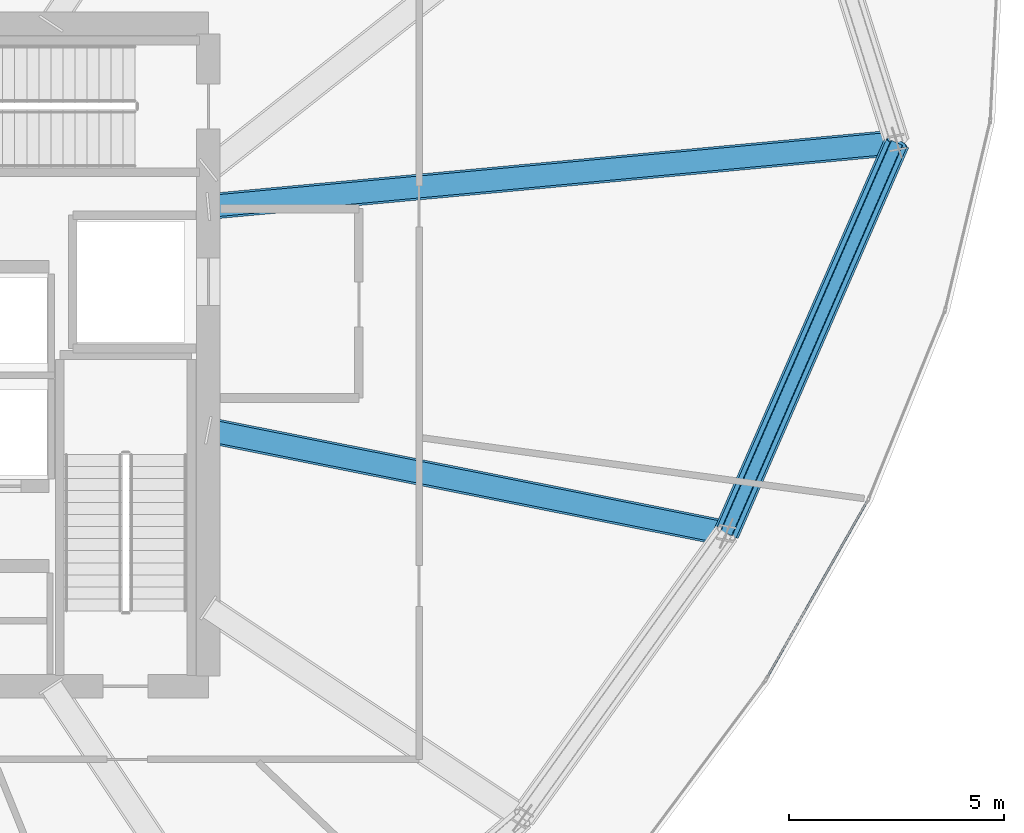
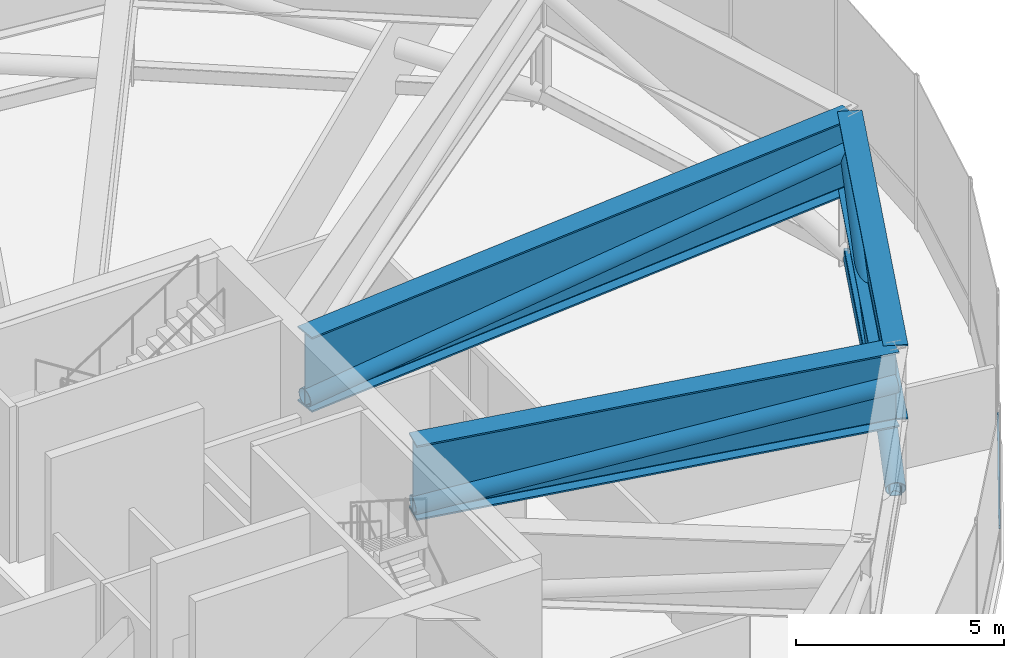
# One storey, part 16 of 30: 5 members, 3 beams, 1 element without a shape of its own.
"""IFC4 building model written with IfcOpenShell, lengths in metres."""

from ifc_helpers import new_model, si_unit, direction, frame, origin, origin_2d, place, context, subcontext, project, spatial, hollow_rectangle, hollow_circle, i_section, extrude, source, transform, mapped, material, layer, layer_set, material_profile, profile_set, type_object, element, aggregate, save


model = new_model("IFC4")

# Units and contexts
model_context = context("Model", 3, precision=1e-05, world=origin(), true_north=direction((0.0, 1.0)))
body_context = subcontext(model_context, "Body", "Model", "MODEL_VIEW")
ifc_project = project(units=[si_unit("LENGTHUNIT", "METRE"), si_unit("AREAUNIT", "SQUARE_METRE"), si_unit("VOLUMEUNIT", "CUBIC_METRE"), si_unit("PLANEANGLEUNIT", "RADIAN"), si_unit("MASSUNIT", "GRAM", prefix="KILO"), si_unit("THERMODYNAMICTEMPERATUREUNIT", "KELVIN")], contexts=[model_context])

# Site, building, storey
site_placement = place(None, origin())
site = spatial("IfcSite", under=ifc_project, at=site_placement, CompositionType="ELEMENT")
building_placement = place(site_placement, origin())
building = spatial("IfcBuilding", under=site, at=building_placement, Name="Kethvar Cultural Tower", CompositionType="ELEMENT")
storey_placement = place(building_placement, frame((0.0, 0.0, 171.39990234375)))
storey = spatial("IfcBuildingStorey", under=building, at=storey_placement, Name="L44", CompositionType="ELEMENT", Elevation=171.39990234375)

# Beam
ifc_material_1 = material(Name="Steel S460M", Category="steel")
ifc_material_profile_1 = material_profile(ifc_material_1, i_section(OverallWidth=0.60009765625, OverallDepth=2.199951171875, WebThickness=0.028076171875, FlangeThickness=0.044921875, FilletRadius=0.02197265625, at=origin_2d()), Name="Steel S460M — PG2200x600x45x28")
ifc_profile_set_1 = profile_set([ifc_material_profile_1], Name="Steel S460M — PG2200x600x45x28")
beam_type = type_object("IfcBeamType", Name="BM-TR2200", PredefinedType="BEAM", material=ifc_profile_set_1)
shared_shape_1 = source(origin(), body_context, "Body", "SweptSolid", [
    extrude(i_section(OverallWidth=0.60009765625, OverallDepth=2.199951171875, WebThickness=0.028076171875, FlangeThickness=0.044921875, FilletRadius=0.02197265625, at=origin_2d()), origin(), (0.0, 0.0, 1.0), 16.071044921875),
])
beam_1_placement = place(storey_placement, frame((55.60009765625, 31.25, 3.47802734375), z_axis=(0.995731009363, 0.092302529718, 0.0), x_axis=(-0.092302529718, 0.995731009363, 0.0)))
element("IfcBeam", 1, at=beam_1_placement, inside=storey, type_object=beam_type, Name="L44 Outrigger Transfer Girder OG-01", PredefinedType="BEAM", context=body_context, shape_type="MappedRepresentation", body=[
    mapped(shared_shape_1, transform((0.0, 0.0, 0.0), scale=1.0)),
])

# Member
ifc_material_profile_2 = material_profile(ifc_material_1, hollow_circle(Radius=0.25390625, WallThickness=0.02001953125, at=origin_2d()), Name="Steel S460M — CHS508x20")
ifc_profile_set_2 = profile_set([ifc_material_profile_2], Name="Steel S460M — CHS508x20")
member_type_1 = type_object("IfcMemberType", Name="MB-OUT-508", PredefinedType="BRACE", material=ifc_profile_set_2)
shared_shape_2 = source(origin(), body_context, "Body", "SweptSolid", [
    extrude(hollow_circle(Radius=0.25390625, WallThickness=0.02001953125, at=origin_2d()), origin(), (0.0, 0.0, 1.0), 16.09228515625),
])
member_1_placement = place(storey_placement, frame((55.60009765625, 31.25, 2.650146484375), z_axis=(0.994412461235, 0.092180302604, 0.051445590212), x_axis=(-0.092302529718, 0.995731009363, 0.0)))
element("IfcMember", 2, at=member_1_placement, inside=storey, type_object=member_type_1, Name="L44 Outrigger Truss Diagonal OB-01", PredefinedType="BRACE", context=body_context, shape_type="MappedRepresentation", body=[
    mapped(shared_shape_2, transform((0.0, 0.0, 0.0), scale=1.0)),
])

# Beam
shared_shape_3 = source(origin(), body_context, "Body", "SweptSolid", [
    extrude(i_section(OverallWidth=0.60009765625, OverallDepth=2.199951171875, WebThickness=0.028076171875, FlangeThickness=0.044921875, FilletRadius=0.02197265625, at=origin_2d()), origin(), (0.0, 0.0, 1.0), 12.2744140625),
])
beam_2_placement = place(storey_placement, frame((55.60009765625, 26.049560546875, 3.47802734375), z_axis=(0.980782878234, -0.195102398146, 0.0), x_axis=(0.195102398146, 0.980782878234, 0.0)))
element("IfcBeam", 3, at=beam_2_placement, inside=storey, type_object=beam_type, Name="L44 Outrigger Transfer Girder OG-16", PredefinedType="BEAM", context=body_context, shape_type="MappedRepresentation", body=[
    mapped(shared_shape_3, transform((0.0, 0.0, 0.0), scale=1.0)),
])

# Member
shared_shape_4 = source(origin(), body_context, "Body", "SweptSolid", [
    extrude(hollow_circle(Radius=0.25390625, WallThickness=0.02001953125, at=origin_2d()), origin(), (0.0, 0.0, 1.0), 12.30224609375),
])
member_2_placement = place(storey_placement, frame((55.60009765625, 26.049560546875, 2.650146484375), z_axis=(0.978559591229, -0.194660130407, 0.067294576635), x_axis=(0.195102398146, 0.980782878234, 0.0)))
element("IfcMember", 4, at=member_2_placement, inside=storey, type_object=member_type_1, Name="L44 Outrigger Truss Diagonal OB-16", PredefinedType="BRACE", context=body_context, shape_type="MappedRepresentation", body=[
    mapped(shared_shape_4, transform((0.0, 0.0, 0.0), scale=1.0)),
])

# Beam
shared_shape_5 = source(origin(), body_context, "Body", "SweptSolid", [
    extrude(i_section(OverallWidth=0.60009765625, OverallDepth=2.199951171875, WebThickness=0.028076171875, FlangeThickness=0.044921875, FilletRadius=0.02197265625, at=origin_2d()), origin(), (0.0, 0.0, 1.0), 9.90625),
])
beam_3_placement = place(storey_placement, frame((67.638671875, 23.65478515625, 3.47802734375), z_axis=(0.400138679026, 0.916454602011, 0.0), x_axis=(-0.916454602011, 0.400138679026, 0.0)))
element("IfcBeam", 5, at=beam_3_placement, inside=storey, type_object=beam_type, Name="L44 Ring Belt Girder BG-16", PredefinedType="BEAM", context=body_context, shape_type="MappedRepresentation", body=[
    mapped(shared_shape_5, transform((0.0, 0.0, 0.0), scale=1.0)),
])

# Members
ifc_material_profile_3 = material_profile(ifc_material_1, hollow_rectangle(XDim=0.300048828125, YDim=0.39990234375, WallThickness=0.01611328125, InnerFilletRadius=0.01611328125, OuterFilletRadius=0.031982421875, at=origin_2d()), Name="Steel S460M — RHS400x300x16")
ifc_profile_set_3 = profile_set([ifc_material_profile_3], Name="Steel S460M — RHS400x300x16")
member_type_2 = type_object("IfcMemberType", Name="MB-CHD-400", PredefinedType="CHORD", material=ifc_profile_set_3)
shared_shape_6 = source(origin(), body_context, "Body", "SweptSolid", [
    extrude(hollow_rectangle(XDim=0.300048828125, YDim=0.39990234375, WallThickness=0.01611328125, InnerFilletRadius=0.01611328125, OuterFilletRadius=0.031982421875, at=origin_2d()), origin(), (0.0, 0.0, 1.0), 9.90625),
])
member_3_placement = place(storey_placement, frame((67.638671875, 23.65478515625, 0.35009765625), z_axis=(0.400138679026, 0.916454602011, 0.0), x_axis=(-0.916454602011, 0.400138679026, 0.0)))
element("IfcMember", 6, at=member_3_placement, inside=storey, type_object=member_type_2, Name="L44 Ring Belt Bottom Chord BC-16", PredefinedType="CHORD", context=body_context, shape_type="MappedRepresentation", body=[
    mapped(shared_shape_6, transform((0.0, 0.0, 0.0), scale=1.0)),
])
shared_shape_7 = source(origin(), body_context, "Body", "SweptSolid", [
    extrude(hollow_circle(Radius=0.25390625, WallThickness=0.02001953125, at=origin_2d()), origin(), (0.0, 0.0, 1.0), 10.388427734375),
])
member_4_placement = place(storey_placement, frame((67.638671875, 23.65478515625, 0.35009765625), z_axis=(0.381569229596, 0.87392420373, 0.301100330721), x_axis=(-0.916454602011, 0.400138679026, 0.0)))
element("IfcMember", 7, at=member_4_placement, inside=storey, type_object=member_type_1, Name="L44 Ring Belt Diagonal BD-16", PredefinedType="BRACE", context=body_context, shape_type="MappedRepresentation", body=[
    mapped(shared_shape_7, transform((0.0, 0.0, 0.0), scale=1.0)),
])

# Curtain wall, member
ifc_material_2 = material(Name="Aluminium 6063-T6", Category="aluminium")
ifc_layer = layer(ifc_material_2, 0.179931640625, Name="Aluminium 6063-T6", Category="aluminium")
ifc_layer_set = layer_set([ifc_layer], Name="Aluminium 6063-T6 (180 mm)")
curtain_wall_type = type_object("IfcCurtainWallType", Name="CW-SYS-04-Z34", PredefinedType="NOTDEFINED", material=ifc_layer_set)
curtain_wall_placement = place(storey_placement, origin())
curtain_wall = element("IfcCurtainWall", 8, at=curtain_wall_placement, inside=storey, type_object=curtain_wall_type, Name="L44 Curtain Wall Run 06", PredefinedType="NOTDEFINED")
ifc_material_profile_4 = material_profile(ifc_material_2, hollow_rectangle(XDim=0.050048828125, YDim=0.10009765625, WallThickness=0.00390625, at=origin_2d()), Name="Aluminium 6063-T6 — RHS100x50x4")
ifc_profile_set_4 = profile_set([ifc_material_profile_4], Name="Aluminium 6063-T6 — RHS100x50x4")
member_type_3 = type_object("IfcMemberType", Name="CW-SYS-04-Z34-TRN", PredefinedType="USERDEFINED", material=ifc_profile_set_4)
shared_shape_8 = source(origin(), body_context, "Body", "SweptSolid", [
    extrude(hollow_rectangle(XDim=0.050048828125, YDim=0.10009765625, WallThickness=0.00390625, at=origin_2d()), origin(), (0.0, 0.0, 1.0), 4.767333984375),
])
member_5_placement = place(storey_placement, frame((68.573974609375, 20.2783203125, 0.9501953125), z_axis=(0.493566785724, 0.869707898107, 0.0), x_axis=(-0.869707898107, 0.493566785724, 0.0)))
member_5 = element("IfcMember", 9, at=member_5_placement, type_object=member_type_3, Name="CW-L44-R06 Transom 1", ObjectType="TRANSOM", PredefinedType="USERDEFINED", context=body_context, shape_type="MappedRepresentation", body=[
    mapped(shared_shape_8, transform((0.0, 0.0, 0.0), scale=1.0)),
])
aggregate(curtain_wall, [member_5])

save(model, "model.ifc")
